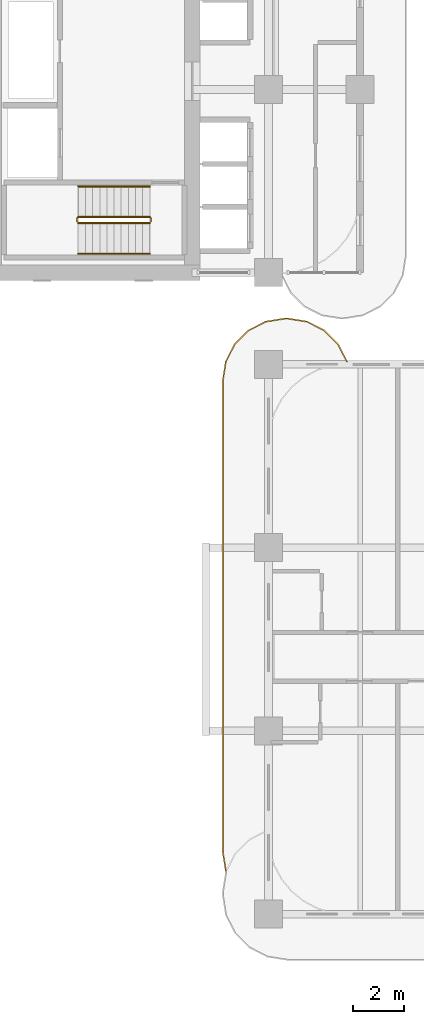
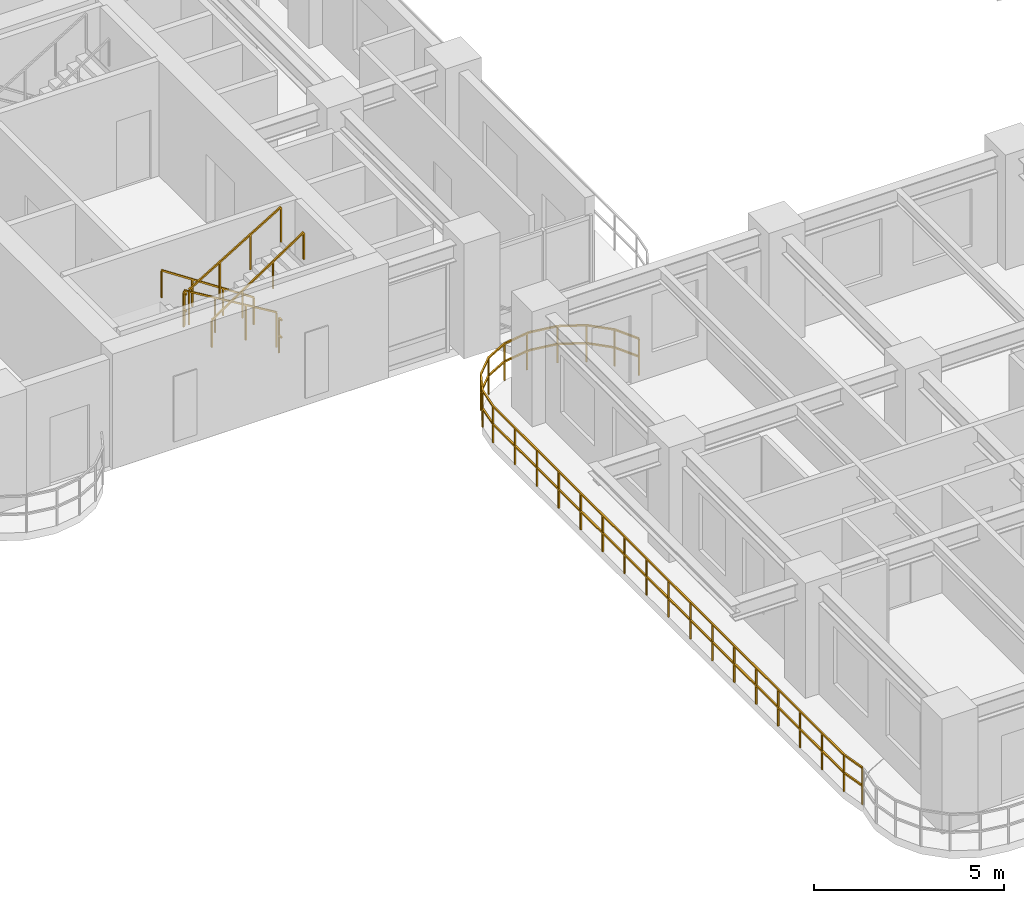
# One storey, part 12 of 18: 7 railings.
"""IFC4 building model written with IfcOpenShell, lengths in metres."""

from ifc_helpers import new_model, si_unit, derived_unit, direction, frame, origin, origin_2d, place, context, subcontext, project, spatial, rectangle, extrude, material, type_object, element, save


model = new_model("IFC4")

# Units and contexts
model_context = context("Model", 3, precision=1e-05, world=origin(), true_north=direction((0.0, 1.0)))
body_context = subcontext(model_context, "Body", "Model", "MODEL_VIEW")
ifc_project = project(units=[si_unit("LENGTHUNIT", "METRE"), si_unit("AREAUNIT", "SQUARE_METRE"), si_unit("VOLUMEUNIT", "CUBIC_METRE"), si_unit("PLANEANGLEUNIT", "RADIAN"), si_unit("MASSUNIT", "GRAM", prefix="KILO"), si_unit("THERMODYNAMICTEMPERATUREUNIT", "KELVIN"), si_unit("POWERUNIT", "WATT"), derived_unit("THERMALTRANSMITTANCEUNIT", [(si_unit("POWERUNIT", "WATT"), 1), (si_unit("AREAUNIT", "SQUARE_METRE"), -1), (si_unit("THERMODYNAMICTEMPERATUREUNIT", "KELVIN"), -1)])], contexts=[model_context])

# Site, building, storey
site_placement = place(None, origin())
site = spatial("IfcSite", under=ifc_project, at=site_placement, CompositionType="ELEMENT")
building_placement = place(site_placement, origin())
building = spatial("IfcBuilding", under=site, at=building_placement, Name="Zahravan Archway Hotel and Residences", CompositionType="ELEMENT")
storey_placement = place(building_placement, frame((0.0, 0.0, 36.10009765625)))
storey = spatial("IfcBuildingStorey", under=building, at=storey_placement, Name="L07", CompositionType="ELEMENT", Elevation=36.10009765625)

# Railings
ifc_material_1 = material(Name="Bronze & Laminated Glass Balustrade", Category="glass")
railing_type_1 = type_object("IfcRailingType", Name="RL-BAL-1200", PredefinedType="BALUSTRADE", material=ifc_material_1)
railing_1_placement = place(storey_placement, frame((12.719970703125, 1.69287109375, 0.0)))
element("IfcRailing", 1, at=railing_1_placement, inside=storey, type_object=railing_type_1, Name="L07 Balustrade RL-SLB-BAL-L07-WA-1", PredefinedType="BALUSTRADE", context=body_context, shape_type="SweptSolid", body=[
    extrude(rectangle(XDim=0.048095703125, YDim=0.048095703125, at=origin_2d()), frame((0.0, 0.0, 1.17578125), z_axis=(-0.156387811283, 0.987695728695, 0.0), x_axis=(-0.987695728695, -0.156387811283, 0.0)), (0.0, 0.0, 1.0), 0.7666015625),
    extrude(rectangle(XDim=0.048095703125, YDim=0.048095703125, at=origin_2d()), frame((0.0, 0.0, 0.60009765625), z_axis=(-0.156387811283, 0.987695728695, 0.0), x_axis=(-0.987695728695, -0.156387811283, 0.0)), (0.0, 0.0, 1.0), 0.7666015625),
    extrude(rectangle(XDim=0.048095703125, YDim=0.048095703125, at=origin_2d()), frame((-0.119873046875, 0.757080078125, 1.17578125), z_axis=(0.0, 1.0, 0.0), x_axis=(-1.0, 0.0, 0.0)), (0.0, 0.0, 1.0), 18.5),
    extrude(rectangle(XDim=0.048095703125, YDim=0.048095703125, at=origin_2d()), frame((-0.119873046875, 0.757080078125, 0.60009765625), z_axis=(0.0, 1.0, 0.0), x_axis=(-1.0, 0.0, 0.0)), (0.0, 0.0, 1.0), 18.5),
    extrude(rectangle(XDim=0.048095703125, YDim=0.048095703125, at=origin_2d()), frame((-0.119873046875, 19.257080078125, 1.17578125), z_axis=(0.156387811283, 0.987695728695, 0.0), x_axis=(-0.987695728695, 0.156387811283, 0.0)), (0.0, 0.0, 1.0), 0.7666015625),
    extrude(rectangle(XDim=0.048095703125, YDim=0.048095703125, at=origin_2d()), frame((-0.119873046875, 19.257080078125, 0.60009765625), z_axis=(0.156387811283, 0.987695728695, 0.0), x_axis=(-0.987695728695, 0.156387811283, 0.0)), (0.0, 0.0, 1.0), 0.7666015625),
    extrude(rectangle(XDim=0.048095703125, YDim=0.048095703125, at=origin_2d()), frame((0.0, 20.01416015625, 1.17578125), z_axis=(0.453825591531, 0.891090529897, 0.0), x_axis=(-0.891090529897, 0.453825591531, 0.0)), (0.0, 0.0, 1.0), 0.7666015625),
    extrude(rectangle(XDim=0.048095703125, YDim=0.048095703125, at=origin_2d()), frame((0.0, 20.01416015625, 0.60009765625), z_axis=(0.453825591531, 0.891090529897, 0.0), x_axis=(-0.891090529897, 0.453825591531, 0.0)), (0.0, 0.0, 1.0), 0.7666015625),
    extrude(rectangle(XDim=0.048095703125, YDim=0.048095703125, at=origin_2d()), frame((0.347900390625, 20.697265625, 1.17578125), z_axis=(0.707106781187, 0.707106781187, 0.0), x_axis=(-0.707106781187, 0.707106781187, 0.0)), (0.0, 0.0, 1.0), 0.7666015625),
    extrude(rectangle(XDim=0.048095703125, YDim=0.048095703125, at=origin_2d()), frame((0.347900390625, 20.697265625, 0.60009765625), z_axis=(0.707106781187, 0.707106781187, 0.0), x_axis=(-0.707106781187, 0.707106781187, 0.0)), (0.0, 0.0, 1.0), 0.7666015625),
    extrude(rectangle(XDim=0.048095703125, YDim=0.048095703125, at=origin_2d()), frame((0.889892578125, 21.2392578125, 1.17578125), z_axis=(0.891090529897, 0.453825591531, 0.0), x_axis=(-0.453825591531, 0.891090529897, 0.0)), (0.0, 0.0, 1.0), 0.7666015625),
    extrude(rectangle(XDim=0.048095703125, YDim=0.048095703125, at=origin_2d()), frame((0.889892578125, 21.2392578125, 0.60009765625), z_axis=(0.891090529897, 0.453825591531, 0.0), x_axis=(-0.453825591531, 0.891090529897, 0.0)), (0.0, 0.0, 1.0), 0.7666015625),
    extrude(rectangle(XDim=0.048095703125, YDim=0.048095703125, at=origin_2d()), frame((1.572998046875, 21.587158203125, 1.17578125), z_axis=(0.987695728695, 0.156387811283, 0.0), x_axis=(-0.156387811283, 0.987695728695, 0.0)), (0.0, 0.0, 1.0), 0.7666015625),
    extrude(rectangle(XDim=0.048095703125, YDim=0.048095703125, at=origin_2d()), frame((1.572998046875, 21.587158203125, 0.60009765625), z_axis=(0.987695728695, 0.156387811283, 0.0), x_axis=(-0.156387811283, 0.987695728695, 0.0)), (0.0, 0.0, 1.0), 0.7666015625),
    extrude(rectangle(XDim=0.048095703125, YDim=0.048095703125, at=origin_2d()), frame((2.330078125, 21.70703125, 1.17578125), z_axis=(1.0, 0.0, 0.0), x_axis=(0.0, 1.0, 0.0)), (0.0, 0.0, 1.0), 0.099853515625),
    extrude(rectangle(XDim=0.048095703125, YDim=0.048095703125, at=origin_2d()), frame((2.330078125, 21.70703125, 0.60009765625), z_axis=(1.0, 0.0, 0.0), x_axis=(0.0, 1.0, 0.0)), (0.0, 0.0, 1.0), 0.099853515625),
    extrude(rectangle(XDim=0.048095703125, YDim=0.048095703125, at=origin_2d()), frame((2.429931640625, 21.70703125, 1.17578125), z_axis=(0.987695728695, -0.156387811283, 0.0), x_axis=(0.156387811283, 0.987695728695, 0.0)), (0.0, 0.0, 1.0), 0.7666015625),
    extrude(rectangle(XDim=0.048095703125, YDim=0.048095703125, at=origin_2d()), frame((2.429931640625, 21.70703125, 0.60009765625), z_axis=(0.987695728695, -0.156387811283, 0.0), x_axis=(0.156387811283, 0.987695728695, 0.0)), (0.0, 0.0, 1.0), 0.7666015625),
    extrude(rectangle(XDim=0.048095703125, YDim=0.048095703125, at=origin_2d()), frame((3.18701171875, 21.587158203125, 1.17578125), z_axis=(0.891090529897, -0.453825591531, 0.0), x_axis=(0.453825591531, 0.891090529897, 0.0)), (0.0, 0.0, 1.0), 0.7666015625),
    extrude(rectangle(XDim=0.048095703125, YDim=0.048095703125, at=origin_2d()), frame((3.18701171875, 21.587158203125, 0.60009765625), z_axis=(0.891090529897, -0.453825591531, 0.0), x_axis=(0.453825591531, 0.891090529897, 0.0)), (0.0, 0.0, 1.0), 0.7666015625),
    extrude(rectangle(XDim=0.048095703125, YDim=0.048095703125, at=origin_2d()), frame((3.8701171875, 21.2392578125, 1.17578125), z_axis=(0.707106781187, -0.707106781187, 0.0), x_axis=(0.707106781187, 0.707106781187, 0.0)), (0.0, 0.0, 1.0), 0.7666015625),
    extrude(rectangle(XDim=0.048095703125, YDim=0.048095703125, at=origin_2d()), frame((3.8701171875, 21.2392578125, 0.60009765625), z_axis=(0.707106781187, -0.707106781187, 0.0), x_axis=(0.707106781187, 0.707106781187, 0.0)), (0.0, 0.0, 1.0), 0.7666015625),
    extrude(rectangle(XDim=0.048095703125, YDim=0.048095703125, at=origin_2d()), frame((4.412109375, 20.697265625, 1.17578125), z_axis=(0.453825591531, -0.891090529897, 0.0), x_axis=(0.891090529897, 0.453825591531, 0.0)), (0.0, 0.0, 1.0), 0.7666015625),
    extrude(rectangle(XDim=0.048095703125, YDim=0.048095703125, at=origin_2d()), frame((4.412109375, 20.697265625, 0.60009765625), z_axis=(0.453825591531, -0.891090529897, 0.0), x_axis=(0.891090529897, 0.453825591531, 0.0)), (0.0, 0.0, 1.0), 0.7666015625),
    extrude(rectangle(XDim=0.0419921875, YDim=0.0419921875, at=origin_2d()), origin(), (0.0, 0.0, 1.0), 1.15185546875),
    extrude(rectangle(XDim=0.0419921875, YDim=0.0419921875, at=origin_2d()), frame((-0.119873046875, 0.757080078125, 0.0)), (0.0, 0.0, 1.0), 1.15185546875),
    extrude(rectangle(XDim=0.0419921875, YDim=0.0419921875, at=origin_2d()), frame((-0.119873046875, 1.913330078125, 0.0)), (0.0, 0.0, 1.0), 1.15185546875),
    extrude(rectangle(XDim=0.0419921875, YDim=0.0419921875, at=origin_2d()), frame((-0.119873046875, 3.069580078125, 0.0)), (0.0, 0.0, 1.0), 1.15185546875),
    extrude(rectangle(XDim=0.0419921875, YDim=0.0419921875, at=origin_2d()), frame((-0.119873046875, 4.225830078125, 0.0)), (0.0, 0.0, 1.0), 1.15185546875),
    extrude(rectangle(XDim=0.0419921875, YDim=0.0419921875, at=origin_2d()), frame((-0.119873046875, 5.382080078125, 0.0)), (0.0, 0.0, 1.0), 1.15185546875),
    extrude(rectangle(XDim=0.0419921875, YDim=0.0419921875, at=origin_2d()), frame((-0.119873046875, 6.538330078125, 0.0)), (0.0, 0.0, 1.0), 1.15185546875),
    extrude(rectangle(XDim=0.0419921875, YDim=0.0419921875, at=origin_2d()), frame((-0.119873046875, 7.694580078125, 0.0)), (0.0, 0.0, 1.0), 1.15185546875),
    extrude(rectangle(XDim=0.0419921875, YDim=0.0419921875, at=origin_2d()), frame((-0.119873046875, 8.850830078125, 0.0)), (0.0, 0.0, 1.0), 1.15185546875),
    extrude(rectangle(XDim=0.0419921875, YDim=0.0419921875, at=origin_2d()), frame((-0.119873046875, 10.007080078125, 0.0)), (0.0, 0.0, 1.0), 1.15185546875),
    extrude(rectangle(XDim=0.0419921875, YDim=0.0419921875, at=origin_2d()), frame((-0.119873046875, 11.163330078125, 0.0)), (0.0, 0.0, 1.0), 1.15185546875),
    extrude(rectangle(XDim=0.0419921875, YDim=0.0419921875, at=origin_2d()), frame((-0.119873046875, 12.319580078125, 0.0)), (0.0, 0.0, 1.0), 1.15185546875),
    extrude(rectangle(XDim=0.0419921875, YDim=0.0419921875, at=origin_2d()), frame((-0.119873046875, 13.475830078125, 0.0)), (0.0, 0.0, 1.0), 1.15185546875),
    extrude(rectangle(XDim=0.0419921875, YDim=0.0419921875, at=origin_2d()), frame((-0.119873046875, 14.632080078125, 0.0)), (0.0, 0.0, 1.0), 1.15185546875),
    extrude(rectangle(XDim=0.0419921875, YDim=0.0419921875, at=origin_2d()), frame((-0.119873046875, 15.788330078125, 0.0)), (0.0, 0.0, 1.0), 1.15185546875),
    extrude(rectangle(XDim=0.0419921875, YDim=0.0419921875, at=origin_2d()), frame((-0.119873046875, 16.944580078125, 0.0)), (0.0, 0.0, 1.0), 1.15185546875),
    extrude(rectangle(XDim=0.0419921875, YDim=0.0419921875, at=origin_2d()), frame((-0.119873046875, 18.100830078125, 0.0)), (0.0, 0.0, 1.0), 1.15185546875),
    extrude(rectangle(XDim=0.0419921875, YDim=0.0419921875, at=origin_2d()), frame((-0.119873046875, 19.257080078125, 0.0)), (0.0, 0.0, 1.0), 1.15185546875),
    extrude(rectangle(XDim=0.0419921875, YDim=0.0419921875, at=origin_2d()), frame((0.0, 20.01416015625, 0.0)), (0.0, 0.0, 1.0), 1.15185546875),
    extrude(rectangle(XDim=0.0419921875, YDim=0.0419921875, at=origin_2d()), frame((0.347900390625, 20.697265625, 0.0)), (0.0, 0.0, 1.0), 1.15185546875),
    extrude(rectangle(XDim=0.0419921875, YDim=0.0419921875, at=origin_2d()), frame((0.889892578125, 21.2392578125, 0.0)), (0.0, 0.0, 1.0), 1.15185546875),
    extrude(rectangle(XDim=0.0419921875, YDim=0.0419921875, at=origin_2d()), frame((1.572998046875, 21.587158203125, 0.0)), (0.0, 0.0, 1.0), 1.15185546875),
    extrude(rectangle(XDim=0.0419921875, YDim=0.0419921875, at=origin_2d()), frame((2.330078125, 21.70703125, 0.0)), (0.0, 0.0, 1.0), 1.15185546875),
    extrude(rectangle(XDim=0.0419921875, YDim=0.0419921875, at=origin_2d()), frame((3.18701171875, 21.587158203125, 0.0)), (0.0, 0.0, 1.0), 1.15185546875),
    extrude(rectangle(XDim=0.0419921875, YDim=0.0419921875, at=origin_2d()), frame((3.8701171875, 21.2392578125, 0.0)), (0.0, 0.0, 1.0), 1.15185546875),
    extrude(rectangle(XDim=0.0419921875, YDim=0.0419921875, at=origin_2d()), frame((4.412109375, 20.697265625, 0.0)), (0.0, 0.0, 1.0), 1.15185546875),
    extrude(rectangle(XDim=0.0419921875, YDim=0.0419921875, at=origin_2d()), frame((4.760009765625, 20.01416015625, 0.0)), (0.0, 0.0, 1.0), 1.15185546875),
])
ifc_material_2 = material(Name="Painted Tubular Steel", Category="steel")
railing_type_2 = type_object("IfcRailingType", Name="RL-STG-1150", PredefinedType="GUARDRAIL", material=ifc_material_2)
railing_2_placement = place(storey_placement, frame((9.72998046875, 27.389892578125, 0.16796875)))
element("IfcRailing", 2, at=railing_2_placement, inside=storey, type_object=railing_type_2, Name="L07 ST-B1 stair guard 1", PredefinedType="GUARDRAIL", context=body_context, shape_type="SweptSolid", body=[
    extrude(rectangle(XDim=0.048095703125, YDim=0.048095703125, at=origin_2d()), frame((0.0, 0.0, 1.1259765625), z_axis=(-0.857242210791, 0.0, 0.514913383045), x_axis=(0.0, -1.0, 0.0)), (0.0, 0.0, 1.0), 3.266357421875),
    extrude(rectangle(XDim=0.0419921875, YDim=0.0419921875, at=origin_2d()), origin(), (0.0, 0.0, 1.0), 1.101806640625),
    extrude(rectangle(XDim=0.0419921875, YDim=0.0419921875, at=origin_2d()), frame((-0.933349609375, 0.0, 0.560546875)), (0.0, 0.0, 1.0), 1.101806640625),
    extrude(rectangle(XDim=0.0419921875, YDim=0.0419921875, at=origin_2d()), frame((-1.86669921875, 0.0, 1.121337890625)), (0.0, 0.0, 1.0), 1.101806640625),
    extrude(rectangle(XDim=0.0419921875, YDim=0.0419921875, at=origin_2d()), frame((-2.800048828125, 0.0, 1.681884765625)), (0.0, 0.0, 1.0), 1.101806640625),
])
railing_3_placement = place(storey_placement, frame((6.8798828125, 27.340087890625, 1.849853515625)))
element("IfcRailing", 3, at=railing_3_placement, inside=storey, type_object=railing_type_2, Name="L07 ST-B1 stair guard 2", PredefinedType="GUARDRAIL", context=body_context, shape_type="SweptSolid", body=[
    extrude(rectangle(XDim=0.048095703125, YDim=0.048095703125, at=origin_2d()), frame((0.0, 0.0, 1.1259765625), z_axis=(0.0, -1.0, 0.0), x_axis=(1.0, 0.0, 0.0)), (0.0, 0.0, 1.0), 0.14013671875),
    extrude(rectangle(XDim=0.048095703125, YDim=0.048095703125, at=origin_2d()), frame((0.0, 0.0, 0.574951171875), z_axis=(0.0, -1.0, 0.0), x_axis=(1.0, 0.0, 0.0)), (0.0, 0.0, 1.0), 0.14013671875),
    extrude(rectangle(XDim=0.0419921875, YDim=0.0419921875, at=origin_2d()), origin(), (0.0, 0.0, 1.0), 1.101806640625),
])
railing_4_placement = place(storey_placement, frame((6.929931640625, 27.14990234375, 2.01806640625)))
element("IfcRailing", 4, at=railing_4_placement, inside=storey, type_object=railing_type_2, Name="L07 ST-B1 stair guard 3", PredefinedType="GUARDRAIL", context=body_context, shape_type="SweptSolid", body=[
    extrude(rectangle(XDim=0.048095703125, YDim=0.048095703125, at=origin_2d()), frame((0.0, 0.0, 1.1259765625), z_axis=(0.857242210791, 0.0, 0.514913383045), x_axis=(0.0, 1.0, 0.0)), (0.0, 0.0, 1.0), 3.266357421875),
    extrude(rectangle(XDim=0.0419921875, YDim=0.0419921875, at=origin_2d()), origin(), (0.0, 0.0, 1.0), 1.101806640625),
    extrude(rectangle(XDim=0.0419921875, YDim=0.0419921875, at=origin_2d()), frame((0.933349609375, 0.0, 0.560546875)), (0.0, 0.0, 1.0), 1.101806640625),
    extrude(rectangle(XDim=0.0419921875, YDim=0.0419921875, at=origin_2d()), frame((1.86669921875, 0.0, 1.121337890625)), (0.0, 0.0, 1.0), 1.101806640625),
    extrude(rectangle(XDim=0.0419921875, YDim=0.0419921875, at=origin_2d()), frame((2.800048828125, 0.0, 1.681884765625)), (0.0, 0.0, 1.0), 1.101806640625),
])
railing_5_placement = place(storey_placement, frame((9.780029296875, 27.340087890625, 0.0)))
element("IfcRailing", 5, at=railing_5_placement, inside=storey, type_object=railing_type_2, Name="L07 ST-B1 stair guard 4", PredefinedType="GUARDRAIL", context=body_context, shape_type="SweptSolid", body=[
    extrude(rectangle(XDim=0.048095703125, YDim=0.048095703125, at=origin_2d()), frame((0.0, 0.0, 1.1259765625), z_axis=(0.0, -1.0, 0.0), x_axis=(1.0, 0.0, 0.0)), (0.0, 0.0, 1.0), 0.14013671875),
    extrude(rectangle(XDim=0.048095703125, YDim=0.048095703125, at=origin_2d()), frame((0.0, 0.0, 0.574951171875), z_axis=(0.0, -1.0, 0.0), x_axis=(1.0, 0.0, 0.0)), (0.0, 0.0, 1.0), 0.14013671875),
    extrude(rectangle(XDim=0.0419921875, YDim=0.0419921875, at=origin_2d()), origin(), (0.0, 0.0, 1.0), 1.101806640625),
])
ifc_material_3 = material(Name="Brushed Stainless Steel", Category="steel")
railing_type_3 = type_object("IfcRailingType", Name="RL-STH-900", PredefinedType="HANDRAIL", material=ifc_material_3)
railing_6_placement = place(storey_placement, frame((9.72998046875, 28.590087890625, 0.16796875)))
element("IfcRailing", 6, at=railing_6_placement, inside=storey, type_object=railing_type_3, Name="L07 ST-B1 stair handrail 1", PredefinedType="HANDRAIL", context=body_context, shape_type="SweptSolid", body=[
    extrude(rectangle(XDim=0.048095703125, YDim=0.048095703125, at=origin_2d()), frame((0.0, 0.0, 0.8759765625), z_axis=(-0.834326358476, 0.0, 0.551270829586), x_axis=(0.0, -1.0, 0.0)), (0.0, 0.0, 1.0), 3.35595703125),
    extrude(rectangle(XDim=0.0419921875, YDim=0.0419921875, at=origin_2d()), origin(), (0.0, 0.0, 1.0), 0.851806640625),
    extrude(rectangle(XDim=0.0419921875, YDim=0.0419921875, at=origin_2d()), frame((-0.933349609375, 0.0, 0.61669921875)), (0.0, 0.0, 1.0), 0.851806640625),
    extrude(rectangle(XDim=0.0419921875, YDim=0.0419921875, at=origin_2d()), frame((-1.86669921875, 0.0, 1.2333984375)), (0.0, 0.0, 1.0), 0.851806640625),
    extrude(rectangle(XDim=0.0419921875, YDim=0.0419921875, at=origin_2d()), frame((-2.800048828125, 0.0, 1.85009765625)), (0.0, 0.0, 1.0), 0.851806640625),
])
railing_7_placement = place(storey_placement, frame((6.929931640625, 25.949951171875, 2.01806640625)))
element("IfcRailing", 7, at=railing_7_placement, inside=storey, type_object=railing_type_3, Name="L07 ST-B1 stair handrail 2", PredefinedType="HANDRAIL", context=body_context, shape_type="SweptSolid", body=[
    extrude(rectangle(XDim=0.048095703125, YDim=0.048095703125, at=origin_2d()), frame((0.0, 0.0, 0.8759765625), z_axis=(0.834326358476, 0.0, 0.551270829586), x_axis=(0.0, 1.0, 0.0)), (0.0, 0.0, 1.0), 3.35595703125),
    extrude(rectangle(XDim=0.0419921875, YDim=0.0419921875, at=origin_2d()), origin(), (0.0, 0.0, 1.0), 0.851806640625),
    extrude(rectangle(XDim=0.0419921875, YDim=0.0419921875, at=origin_2d()), frame((0.933349609375, 0.0, 0.61669921875)), (0.0, 0.0, 1.0), 0.851806640625),
    extrude(rectangle(XDim=0.0419921875, YDim=0.0419921875, at=origin_2d()), frame((1.86669921875, 0.0, 1.2333984375)), (0.0, 0.0, 1.0), 0.851806640625),
    extrude(rectangle(XDim=0.0419921875, YDim=0.0419921875, at=origin_2d()), frame((2.800048828125, 0.0, 1.85009765625)), (0.0, 0.0, 1.0), 0.851806640625),
])

save(model, "model.ifc")
